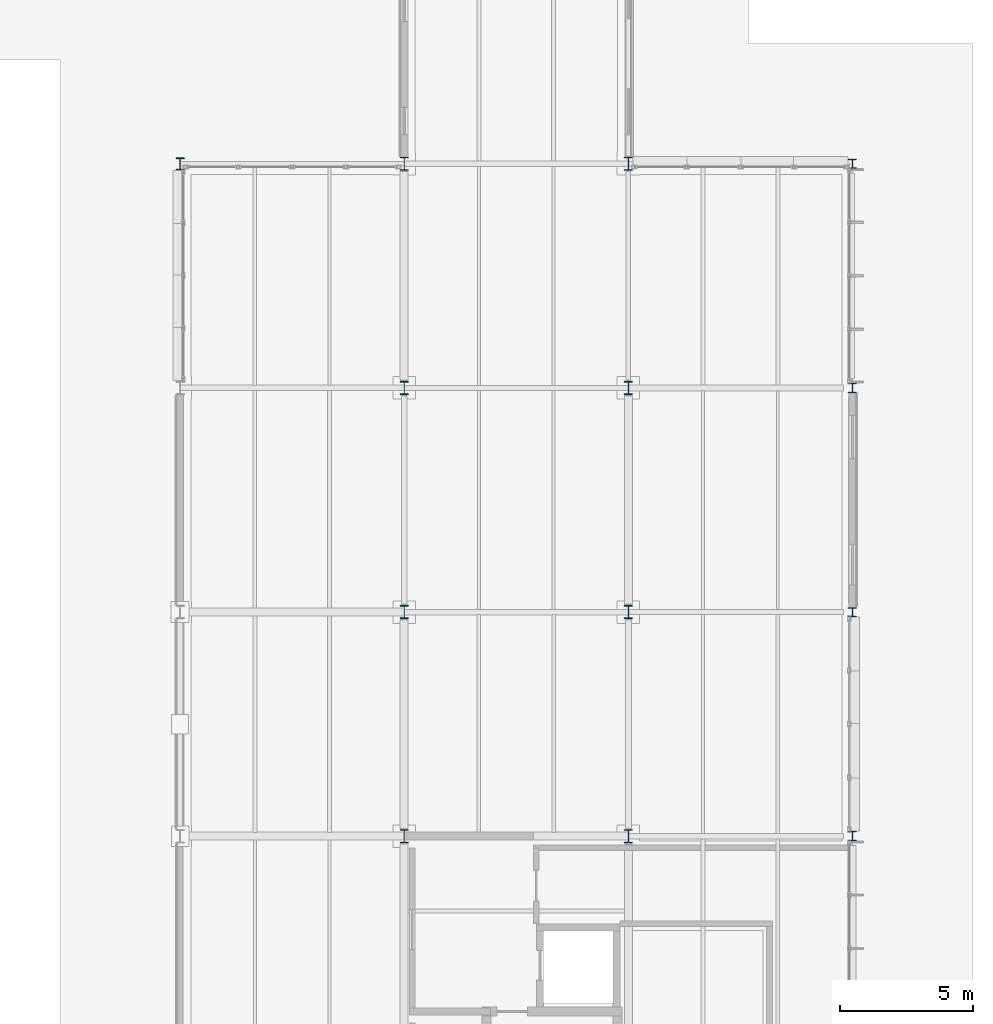
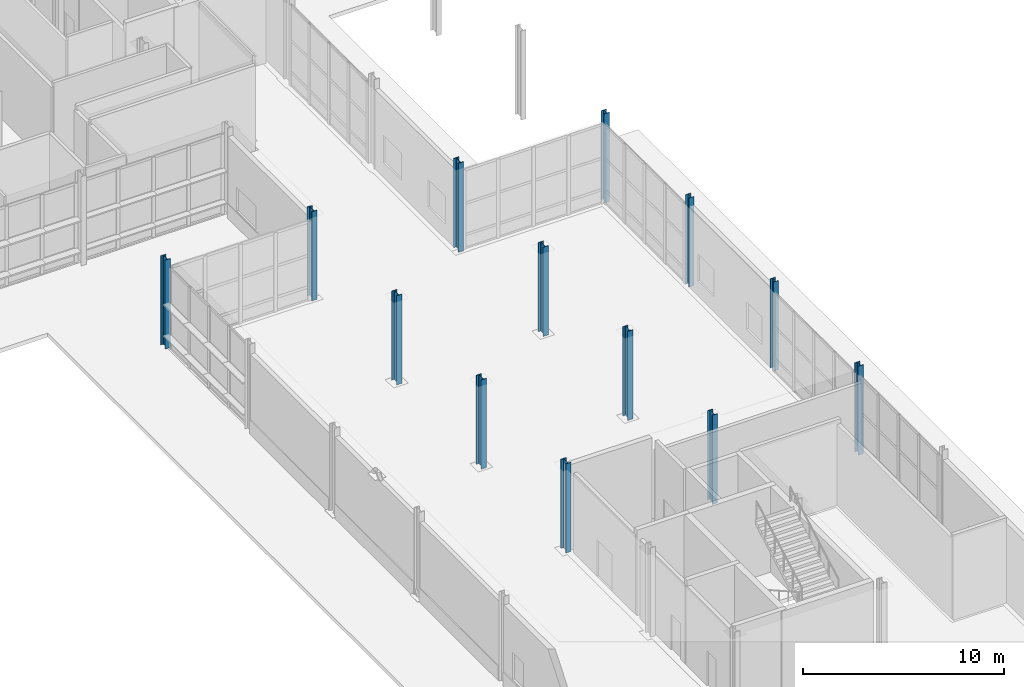
# One storey, part 16 of 124: 13 columns.
"""IFC4 building model written with IfcOpenShell, lengths in metres."""

from ifc_helpers import new_model, si_unit, direction, frame, origin, origin_2d, place, context, subcontext, project, spatial, i_section, extrude, material, material_profile, profile_set, type_object, element, save


model = new_model("IFC4")

# Units and contexts
model_context = context("Model", 3, precision=1e-05, world=origin(), true_north=direction((0.0, 1.0)))
body_context = subcontext(model_context, "Body", "Model", "MODEL_VIEW")
ifc_project = project(units=[si_unit("LENGTHUNIT", "METRE"), si_unit("AREAUNIT", "SQUARE_METRE"), si_unit("VOLUMEUNIT", "CUBIC_METRE"), si_unit("PLANEANGLEUNIT", "RADIAN"), si_unit("MASSUNIT", "GRAM", prefix="KILO")], contexts=[model_context])

# Site, building, storey
site_placement = place(None, origin())
site = spatial("IfcSite", under=ifc_project, at=site_placement, CompositionType="ELEMENT")
building_placement = place(site_placement, origin())
building = spatial("IfcBuilding", under=site, at=building_placement, Name="Mersafa Astral City Hall", CompositionType="ELEMENT")
storey_placement = place(building_placement, origin())
storey = spatial("IfcBuildingStorey", under=building, at=storey_placement, Name="L00", CompositionType="ELEMENT", Elevation=0.0)

# Columns
ifc_material = material(Name="Steel S355", Category="steel")
ifc_material_profile_1 = material_profile(ifc_material, i_section(OverallWidth=0.300048828125, OverallDepth=0.340087890625, WebThickness=0.011962890625, FlangeThickness=0.021484375, FilletRadius=0.027099609375, at=origin_2d()), Name="HEB 340")
ifc_profile_set_1 = profile_set([ifc_material_profile_1], Name="Steel S355")
column_type_1 = type_object("IfcColumnType", Name="STR-COL-HEB340", PredefinedType="COLUMN", material=ifc_profile_set_1)
for number, where, z_axis, x_axis, name in (
    (1, (184.800048828125, 75.60009765625, 0.0), (0.0, 0.0, 1.0), (1.0, 0.0, 0.0), "L00 Structural column G-22-09"),
    (2, (184.800048828125, 92.39990234375, 0.0), (0.0, 0.0, 1.0), (1.0, 0.0, 0.0), "L00 Structural column G-22-11"),
):
    element("IfcColumn", number, at=place(storey_placement, frame(where, z_axis=z_axis, x_axis=x_axis)), inside=storey, type_object=column_type_1, Name=name, PredefinedType="COLUMN", context=body_context, shape_type="SweptSolid", body=[
        extrude(i_section(OverallWidth=0.300048828125, OverallDepth=0.340087890625, WebThickness=0.011962890625, FlangeThickness=0.021484375, FilletRadius=0.027099609375, at=origin_2d()), origin(), (0.0, 0.0, 1.0), 5.39990234375),
    ])
ifc_material_profile_2 = material_profile(ifc_material, i_section(OverallWidth=0.300048828125, OverallDepth=0.360107421875, WebThickness=0.012451171875, FlangeThickness=0.0224609375, FilletRadius=0.027099609375, at=origin_2d()), Name="HEB 360")
ifc_profile_set_2 = profile_set([ifc_material_profile_2], Name="Steel S355")
column_type_2 = type_object("IfcColumnType", Name="STR-COL-HEB360", PredefinedType="COLUMN", material=ifc_profile_set_2)
for number, where, z_axis, x_axis, name in (
    (3, (184.800048828125, 67.199951171875, 0.0), (0.0, 0.0, 1.0), (1.0, 0.0, 0.0), "L00 Structural column G-22-08"),
    (4, (184.800048828125, 84.0, 0.0), (0.0, 0.0, 1.0), (1.0, 0.0, 0.0), "L00 Structural column G-22-10"),
):
    element("IfcColumn", number, at=place(storey_placement, frame(where, z_axis=z_axis, x_axis=x_axis)), inside=storey, type_object=column_type_2, Name=name, PredefinedType="COLUMN", context=body_context, shape_type="SweptSolid", body=[
        extrude(i_section(OverallWidth=0.300048828125, OverallDepth=0.360107421875, WebThickness=0.012451171875, FlangeThickness=0.0224609375, FilletRadius=0.027099609375, at=origin_2d()), origin(), (0.0, 0.0, 1.0), 5.39990234375),
    ])
ifc_material_profile_3 = material_profile(ifc_material, i_section(OverallWidth=0.300048828125, OverallDepth=0.449951171875, WebThickness=0.013916015625, FlangeThickness=0.02587890625, FilletRadius=0.027099609375, at=origin_2d()), Name="HEB 450")
ifc_profile_set_3 = profile_set([ifc_material_profile_3], Name="Steel S355")
column_type_3 = type_object("IfcColumnType", Name="STR-COL-HEB450", PredefinedType="COLUMN", material=ifc_profile_set_3)
column_placement = place(storey_placement, frame((159.60009765625, 92.39990234375, 0.0), z_axis=(0.0, 0.0, 1.0), x_axis=(1.0, 0.0, 0.0)))
element("IfcColumn", 5, at=column_placement, inside=storey, type_object=column_type_3, Name="L00 Structural column G-19-11", PredefinedType="COLUMN", context=body_context, shape_type="SweptSolid", body=[
    extrude(i_section(OverallWidth=0.300048828125, OverallDepth=0.449951171875, WebThickness=0.013916015625, FlangeThickness=0.02587890625, FilletRadius=0.027099609375, at=origin_2d()), origin(), (0.0, 0.0, 1.0), 5.39990234375),
])
ifc_material_profile_4 = material_profile(ifc_material, i_section(OverallWidth=0.300048828125, OverallDepth=0.5, WebThickness=0.014404296875, FlangeThickness=0.028076171875, FilletRadius=0.027099609375, at=origin_2d()), Name="HEB 500")
ifc_profile_set_4 = profile_set([ifc_material_profile_4], Name="Steel S355")
column_type_4 = type_object("IfcColumnType", Name="STR-COL-HEB500", PredefinedType="COLUMN", material=ifc_profile_set_4)
for number, where, z_axis, x_axis, name in (
    (6, (168.0, 67.199951171875, 0.0), (0.0, 0.0, 1.0), (1.0, 0.0, 0.0), "L00 Structural column G-20-08"),
    (7, (168.0, 75.60009765625, 0.0), (0.0, 0.0, 1.0), (1.0, 0.0, 0.0), "L00 Structural column G-20-09"),
    (8, (168.0, 84.0, 0.0), (0.0, 0.0, 1.0), (1.0, 0.0, 0.0), "L00 Structural column G-20-10"),
    (9, (168.0, 92.39990234375, 0.0), (0.0, 0.0, 1.0), (1.0, 0.0, 0.0), "L00 Structural column G-20-11"),
    (10, (176.39990234375, 67.199951171875, 0.0), (0.0, 0.0, 1.0), (1.0, 0.0, 0.0), "L00 Structural column G-21-08"),
    (11, (176.39990234375, 75.60009765625, 0.0), (0.0, 0.0, 1.0), (1.0, 0.0, 0.0), "L00 Structural column G-21-09"),
    (12, (176.39990234375, 84.0, 0.0), (0.0, 0.0, 1.0), (1.0, 0.0, 0.0), "L00 Structural column G-21-10"),
    (13, (176.39990234375, 92.39990234375, 0.0), (0.0, 0.0, 1.0), (1.0, 0.0, 0.0), "L00 Structural column G-21-11"),
):
    element("IfcColumn", number, at=place(storey_placement, frame(where, z_axis=z_axis, x_axis=x_axis)), inside=storey, type_object=column_type_4, Name=name, PredefinedType="COLUMN", context=body_context, shape_type="SweptSolid", body=[
        extrude(i_section(OverallWidth=0.300048828125, OverallDepth=0.5, WebThickness=0.014404296875, FlangeThickness=0.028076171875, FilletRadius=0.027099609375, at=origin_2d()), origin(), (0.0, 0.0, 1.0), 5.39990234375),
    ])

save(model, "model.ifc")
